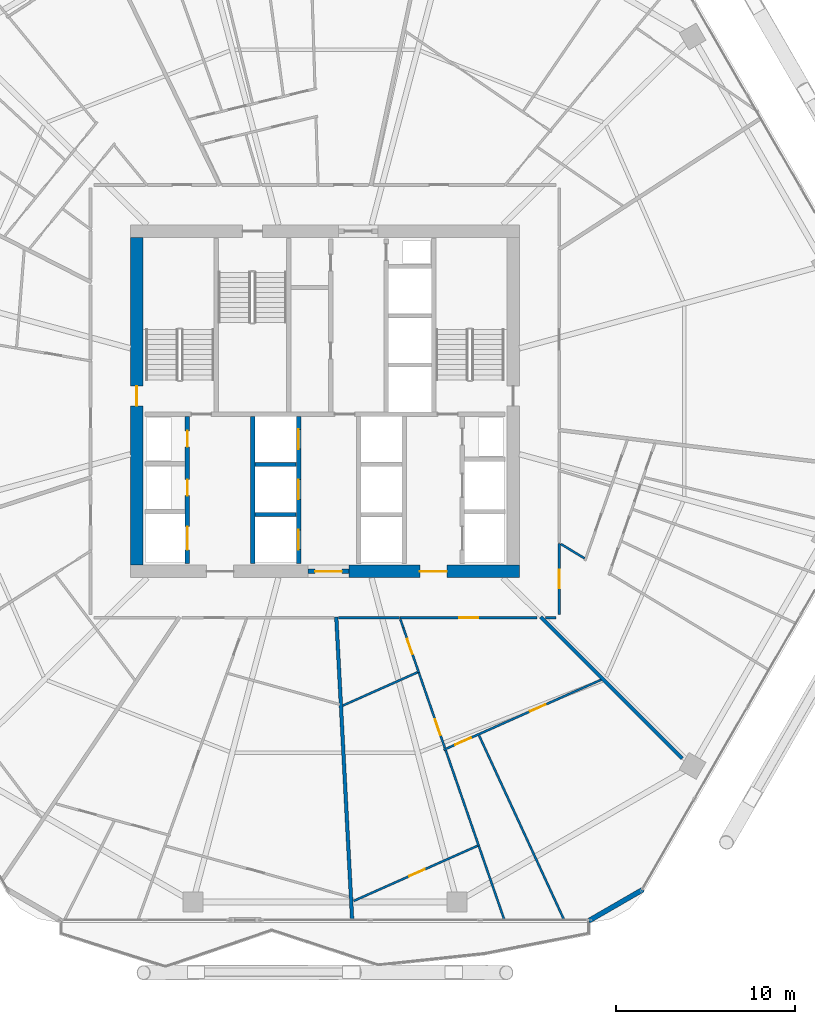
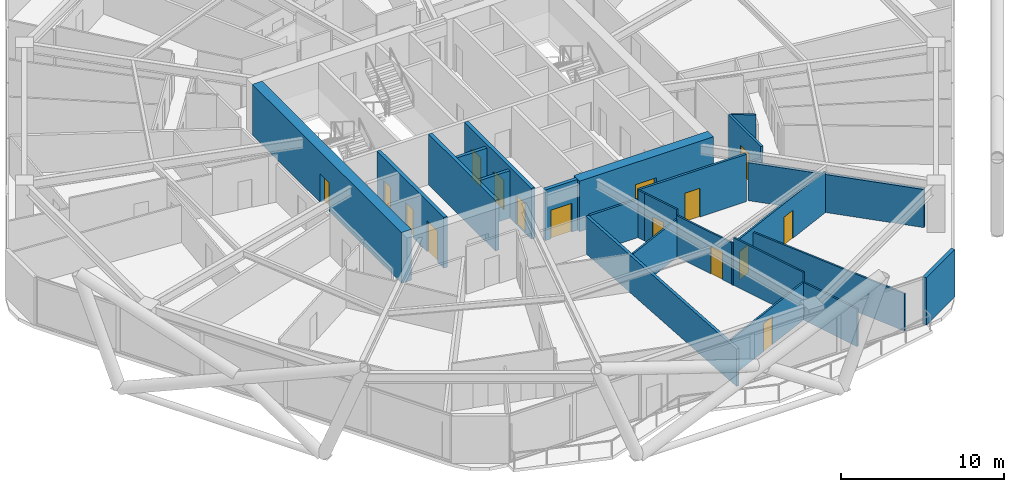
# One storey, part 28 of 35: 25 walls, 16 doors, 16 openings.
"""IFC4 building model written with IfcOpenShell, lengths in metres."""

from ifc_helpers import new_model, si_unit, direction, frame, frame_2d, origin, place, context, subcontext, project, spatial, rectangle, extrude, material, layer, layer_set, type_object, element, fill, save


model = new_model("IFC4")

# Units and contexts
model_context = context("Model", 3, precision=1e-05, world=origin(), true_north=direction((0.0, 1.0)))
body_context = subcontext(model_context, "Body", "Model", "MODEL_VIEW")
ifc_project = project(units=[si_unit("LENGTHUNIT", "METRE"), si_unit("AREAUNIT", "SQUARE_METRE"), si_unit("VOLUMEUNIT", "CUBIC_METRE"), si_unit("PLANEANGLEUNIT", "RADIAN"), si_unit("MASSUNIT", "GRAM", prefix="KILO")], contexts=[model_context])

# Site, building, storey
site_placement = place(None, origin())
site = spatial("IfcSite", under=ifc_project, at=site_placement, CompositionType="ELEMENT")
building_placement = place(site_placement, origin())
building = spatial("IfcBuilding", under=site, at=building_placement, Name="Zuhravey Tower", CompositionType="ELEMENT")
storey_placement = place(building_placement, frame((0.0, 0.0, 115.199951171875)))
storey = spatial("IfcBuildingStorey", under=building, at=storey_placement, Name="L28", CompositionType="ELEMENT", Elevation=115.199951171875)

# Wall, opening, door
ifc_material_1 = material(Name="Concrete C60/75", Category="concrete")
ifc_layer_1 = layer(ifc_material_1, 0.699951171875)
ifc_layer_set_1 = layer_set([ifc_layer_1], Name="Concrete C60/75")
wall_type_1 = type_object("IfcWallType", Name="Core Shear Wall 700", PredefinedType="SHEAR", material=ifc_layer_set_1)
wall_1_placement = place(storey_placement, frame((37.35009765625, 22.5, 0.0), z_axis=(0.0, 0.0, 1.0), x_axis=(1.0, 0.0, 0.0)))
wall_1 = element("IfcWall", 1, at=wall_1_placement, inside=storey, type_object=wall_type_1, Name="L28 South-East Core Shear Wall CW70", PredefinedType="SHEAR", context=body_context, shape_type="SweptSolid", body=[
    extrude(rectangle(XDim=9.5, YDim=0.699951171875, at=frame_2d((4.75, 0.0))), origin(), (0.0, 0.0, 1.0), 3.800048828125),
])
opening_1_placement = place(wall_1_placement, frame((3.949951171875, 0.0, 0.0)))
opening_1 = element("IfcOpeningElement", 2, at=opening_1_placement, cuts=wall_1, Name="Opening FFD1", PredefinedType="OPENING", context=body_context, shape_type="SweptSolid", body=[
    extrude(rectangle(XDim=1.5, YDim=2.14990234375, at=frame_2d((0.75, 1.074951171875))), frame((0.0, 0.362060546875, 0.0), z_axis=(0.0, -1.0, 0.0), x_axis=(1.0, 0.0, 0.0)), (0.0, 0.0, 1.0), 0.723876953125),
])
ifc_material_2 = material(Name="Galvanised fire-rated steel leaf", Category="steel")
door_type_1 = type_object("IfcDoorType", Name="Firefighting Lobby Double Door 1500x2150", OperationType="DOUBLE_DOOR_SINGLE_SWING", PredefinedType="DOOR", material=ifc_material_2)
door_1_placement = place(opening_1_placement, origin())
door_1 = element("IfcDoor", 3, at=door_1_placement, inside=storey, type_object=door_type_1, Name="L28 Firefighting Lobby East Door", OperationType="DOUBLE_DOOR_SINGLE_SWING", OverallHeight=2.14990234375, OverallWidth=1.5, PredefinedType="DOOR", context=body_context, shape_type="SweptSolid", body=[
    extrude(rectangle(XDim=1.5, YDim=2.14990234375, at=frame_2d((0.75, 1.074951171875))), frame((0.0, 0.02490234375, 0.0), z_axis=(0.0, -1.0, 0.0), x_axis=(1.0, 0.0, 0.0)), (0.0, 0.0, 1.0), 0.050048828125),
])
fill(opening_1, door_1)

wall_2_placement = place(storey_placement, frame((25.5, 22.85009765625, 0.0), z_axis=(0.0, 0.0, 1.0), x_axis=(0.0, 1.0, 0.0)))
wall_2 = element("IfcWall", 4, at=wall_2_placement, inside=storey, type_object=wall_type_1, Name="L28 West Core Shear Wall CW70", PredefinedType="SHEAR", context=body_context, shape_type="SweptSolid", body=[
    extrude(rectangle(XDim=18.2998046875, YDim=0.699951171875, at=frame_2d((9.14990234375, 0.0))), origin(), (0.0, 0.0, 1.0), 3.800048828125),
])
opening_2_placement = place(wall_2_placement, frame((8.89990234375, 0.0, 0.0)))
opening_2 = element("IfcOpeningElement", 5, at=opening_2_placement, cuts=wall_2, Name="Opening STD1", PredefinedType="OPENING", context=body_context, shape_type="SweptSolid", body=[
    extrude(rectangle(XDim=1.10009765625, YDim=2.14990234375, at=frame_2d((0.550048828125, 1.074951171875))), frame((0.0, 0.362060546875, 0.0), z_axis=(0.0, -1.0, 0.0), x_axis=(1.0, 0.0, 0.0)), (0.0, 0.0, 1.0), 0.723876953125),
])
door_type_2 = type_object("IfcDoorType", Name="Protected Stair Fire Door 1100x2150", OperationType="NOTDEFINED", PredefinedType="USERDEFINED", material=ifc_material_2)
door_2_placement = place(opening_2_placement, frame((1.10009765625, 0.0, 0.0), z_axis=(0.0, 0.0, 1.0), x_axis=(-1.0, 0.0, 0.0)))
door_2 = element("IfcDoor", 6, at=door_2_placement, inside=storey, type_object=door_type_2, Name="L28 Stair ST1 Door", ObjectType="EXITDOOR", OperationType="SINGLE_SWING_RIGHT", OverallHeight=2.14990234375, OverallWidth=1.10009765625, PredefinedType="USERDEFINED", context=body_context, shape_type="SweptSolid", body=[
    extrude(rectangle(XDim=1.10009765625, YDim=2.14990234375, at=frame_2d((0.550048828125, 1.074951171875))), frame((0.0, 0.02490234375, 0.0), z_axis=(0.0, -1.0, 0.0), x_axis=(1.0, 0.0, 0.0)), (0.0, 0.0, 1.0), 0.050048828125),
])
fill(opening_2, door_2)

ifc_material_3 = material(Name="Gypsum fire-rated stud partition")
ifc_layer_2 = layer(ifc_material_3, 0.159912109375)
ifc_layer_set_2 = layer_set([ifc_layer_2], Name="Gypsum fire-rated stud partition")
wall_type_2 = type_object("IfcWallType", Name="Corridor Fire Partition 160", PredefinedType="PARTITIONING", material=ifc_layer_set_2)
wall_3_placement = place(storey_placement, frame((40.199462890625, 19.919921875, 0.0), z_axis=(0.0, 0.0, 1.0), x_axis=(1.0, 0.0, 0.0)))
wall_3 = element("IfcWall", 7, at=wall_3_placement, inside=storey, type_object=wall_type_2, Name="L28 IW16 Partition 054", PredefinedType="PARTITIONING", context=body_context, shape_type="SweptSolid", body=[
    extrude(rectangle(XDim=7.6435546875, YDim=0.159912109375, at=frame_2d((3.82177734375, 0.0))), origin(), (0.0, 0.0, 1.0), 3.550048828125),
])
opening_3_placement = place(wall_3_placement, frame((3.296630859375, 0.0, 0.0)))
opening_3 = element("IfcOpeningElement", 8, at=opening_3_placement, cuts=wall_3, Name="Opening APD1", PredefinedType="OPENING", context=body_context, shape_type="SweptSolid", body=[
    extrude(rectangle(XDim=1.050048828125, YDim=2.14990234375, at=frame_2d((0.52490234375, 1.074951171875))), frame((0.0, 0.092041015625, 0.0), z_axis=(0.0, -1.0, 0.0), x_axis=(1.0, 0.0, 0.0)), (0.0, 0.0, 1.0), 0.183837890625),
])
ifc_material_4 = material(Name="Solid-core oak fire-rated leaf")
door_type_3 = type_object("IfcDoorType", Name="Apartment Entrance Fire Door 1050x2150", OperationType="NOTDEFINED", PredefinedType="DOOR", material=ifc_material_4)
door_3_placement = place(opening_3_placement, frame((1.050048828125, 0.0, 0.0), z_axis=(0.0, 0.0, 1.0), x_axis=(-1.0, 0.0, 0.0)))
door_3 = element("IfcDoor", 9, at=door_3_placement, inside=storey, type_object=door_type_3, Name="L28 Door 054.1", OperationType="SINGLE_SWING_RIGHT", OverallHeight=2.14990234375, OverallWidth=1.050048828125, PredefinedType="DOOR", context=body_context, shape_type="SweptSolid", body=[
    extrude(rectangle(XDim=1.050048828125, YDim=2.14990234375, at=frame_2d((0.52490234375, 1.074951171875))), frame((0.0, 0.02490234375, 0.0), z_axis=(0.0, -1.0, 0.0), x_axis=(1.0, 0.0, 0.0)), (0.0, 0.0, 1.0), 0.050048828125),
])
fill(opening_3, door_3)

wall_4_placement = place(storey_placement, frame((49.080078125, 20.1005859375, 0.0), z_axis=(0.0, 0.0, 1.0), x_axis=(0.0, 1.0, 0.0)))
wall_4 = element("IfcWall", 10, at=wall_4_placement, inside=storey, type_object=wall_type_2, Name="L28 IW16 Partition 057", PredefinedType="PARTITIONING", context=body_context, shape_type="SweptSolid", body=[
    extrude(rectangle(XDim=3.960693359375, YDim=0.159912109375, at=frame_2d((1.98046875, 0.0))), origin(), (0.0, 0.0, 1.0), 3.550048828125),
])
opening_4_placement = place(wall_4_placement, frame((1.455322265625, 0.0, 0.0)))
opening_4 = element("IfcOpeningElement", 11, at=opening_4_placement, cuts=wall_4, Name="Opening APD1", PredefinedType="OPENING", context=body_context, shape_type="SweptSolid", body=[
    extrude(rectangle(XDim=1.050048828125, YDim=2.14990234375, at=frame_2d((0.52490234375, 1.074951171875))), frame((0.0, 0.092041015625, 0.0), z_axis=(0.0, -1.0, 0.0), x_axis=(1.0, 0.0, 0.0)), (0.0, 0.0, 1.0), 0.183837890625),
])
door_4_placement = place(opening_4_placement, frame((1.050048828125, 0.0, 0.0), z_axis=(0.0, 0.0, 1.0), x_axis=(-1.0, 0.0, 0.0)))
door_4 = element("IfcDoor", 12, at=door_4_placement, inside=storey, type_object=door_type_3, Name="L28 Door 057.1", OperationType="SINGLE_SWING_LEFT", OverallHeight=2.14990234375, OverallWidth=1.050048828125, PredefinedType="DOOR", context=body_context, shape_type="SweptSolid", body=[
    extrude(rectangle(XDim=1.050048828125, YDim=2.14990234375, at=frame_2d((0.52490234375, 1.074951171875))), frame((0.0, 0.02490234375, 0.0), z_axis=(0.0, -1.0, 0.0), x_axis=(1.0, 0.0, 0.0)), (0.0, 0.0, 1.0), 0.050048828125),
])
fill(opening_4, door_4)

# Walls
wall_5_placement = place(storey_placement, frame((36.7587890625, 19.919921875, 0.0), z_axis=(0.0, 0.0, 1.0), x_axis=(1.0, 0.0, 0.0)))
element("IfcWall", 13, at=wall_5_placement, inside=storey, type_object=wall_type_2, Name="L28 IW16 Partition 125", PredefinedType="PARTITIONING", context=body_context, shape_type="SweptSolid", body=[
    extrude(rectangle(XDim=3.3984375, YDim=0.159912109375, at=frame_2d((1.69921875, 0.0))), origin(), (0.0, 0.0, 1.0), 2.85009765625),
])
wall_6_placement = place(storey_placement, frame((48.3212890625, 19.919921875, 0.0), z_axis=(0.0, 0.0, 1.0), x_axis=(1.0, 0.0, 0.0)))
element("IfcWall", 14, at=wall_6_placement, inside=storey, type_object=wall_type_2, Name="L28 IW16 Partition 126", PredefinedType="PARTITIONING", context=body_context, shape_type="SweptSolid", body=[
    extrude(rectangle(XDim=0.578125, YDim=0.159912109375, at=frame_2d((0.2890625, 0.0))), origin(), (0.0, 0.0, 1.0), 2.85009765625),
])
ifc_material_5 = material(Name="Precast concrete C40/50", Category="concrete")
ifc_layer_3 = layer(ifc_material_5, 0.280029296875)
ifc_layer_set_3 = layer_set([ifc_layer_3], Name="Precast concrete C40/50")
wall_type_3 = type_object("IfcWallType", Name="Crown Architectural Wall 280", PredefinedType="SOLIDWALL", material=ifc_layer_set_3)
wall_7_placement = place(storey_placement, frame((53.76123046875, 4.75146484375, 0.0), z_axis=(0.0, 0.0, 1.0), x_axis=(-0.866007452331, -0.500031091541, 0.0)))
element("IfcWall", 15, at=wall_7_placement, inside=storey, type_object=wall_type_3, Name="L28 Rounded Corner Closure Wall EW28-02", PredefinedType="SOLIDWALL", context=body_context, shape_type="SweptSolid", body=[
    extrude(rectangle(XDim=3.514892578125, YDim=0.280029296875, at=frame_2d((1.75732421875, 0.0))), origin(), (0.0, 0.0, 1.0), 3.550048828125),
])

# Wall, opening, door
ifc_material_6 = material(Name="Concrete C50/60", Category="concrete")
ifc_layer_4 = layer(ifc_material_6, 0.25)
ifc_layer_set_4 = layer_set([ifc_layer_4], Name="Concrete C50/60")
wall_type_4 = type_object("IfcWallType", Name="Firefighting Shaft & Stair Wall 250", PredefinedType="SOLIDWALL", material=ifc_layer_set_4)
wall_8_placement = place(storey_placement, frame((35.06005859375, 22.5, 0.0), z_axis=(0.0, 0.0, 1.0), x_axis=(1.0, 0.0, 0.0)))
wall_8 = element("IfcWall", 16, at=wall_8_placement, inside=storey, type_object=wall_type_4, Name="L28 FW25 Shaft Wall 001", PredefinedType="SOLIDWALL", context=body_context, shape_type="SweptSolid", body=[
    extrude(rectangle(XDim=2.280029296875, YDim=0.25, at=frame_2d((1.14013671875, 0.0))), origin(), (0.0, 0.0, 1.0), 3.800048828125),
])
opening_5_placement = place(wall_8_placement, frame((0.389892578125, 0.0, 0.0)))
opening_5 = element("IfcOpeningElement", 17, at=opening_5_placement, cuts=wall_8, Name="Opening FFD1", PredefinedType="OPENING", context=body_context, shape_type="SweptSolid", body=[
    extrude(rectangle(XDim=1.5, YDim=2.14990234375, at=frame_2d((0.75, 1.074951171875))), frame((0.0, 0.136962890625, 0.0), z_axis=(0.0, -1.0, 0.0), x_axis=(1.0, 0.0, 0.0)), (0.0, 0.0, 1.0), 0.27392578125),
])
door_5_placement = place(opening_5_placement, frame((1.5, 0.0, 0.0), z_axis=(0.0, 0.0, 1.0), x_axis=(-1.0, 0.0, 0.0)))
door_5 = element("IfcDoor", 18, at=door_5_placement, inside=storey, type_object=door_type_1, Name="L28 South Lift Lobby Exit Door", OperationType="DOUBLE_DOOR_SINGLE_SWING", OverallHeight=2.14990234375, OverallWidth=1.5, PredefinedType="DOOR", context=body_context, shape_type="SweptSolid", body=[
    extrude(rectangle(XDim=1.5, YDim=2.14990234375, at=frame_2d((0.75, 1.074951171875))), frame((0.0, 0.02490234375, 0.0), z_axis=(0.0, -1.0, 0.0), x_axis=(1.0, 0.0, 0.0)), (0.0, 0.0, 1.0), 0.050048828125),
])
fill(opening_5, door_5)

# Wall, openings, doors
wall_9_placement = place(storey_placement, frame((28.324951171875, 22.949951171875, 0.0), z_axis=(0.0, 0.0, 1.0), x_axis=(0.0, 1.0, 0.0)))
wall_9 = element("IfcWall", 19, at=wall_9_placement, inside=storey, type_object=wall_type_4, Name="L28 FW25 Shaft Wall 011", PredefinedType="SOLIDWALL", context=body_context, shape_type="SweptSolid", body=[
    extrude(rectangle(XDim=8.199951171875, YDim=0.25, at=frame_2d((4.10009765625, 0.0))), origin(), (0.0, 0.0, 1.0), 3.800048828125),
])
opening_6_placement = place(wall_9_placement, frame((0.75, 0.0, 0.0)))
opening_6 = element("IfcOpeningElement", 20, at=opening_6_placement, cuts=wall_9, Name="Opening LD2", PredefinedType="OPENING", context=body_context, shape_type="SweptSolid", body=[
    extrude(rectangle(XDim=1.300048828125, YDim=2.300048828125, at=frame_2d((0.64990234375, 1.14990234375))), frame((0.0, 0.136962890625, 0.0), z_axis=(0.0, -1.0, 0.0), x_axis=(1.0, 0.0, 0.0)), (0.0, 0.0, 1.0), 0.27392578125),
])
opening_7_placement = place(wall_9_placement, frame((3.780029296875, 0.0, 0.0)))
opening_7 = element("IfcOpeningElement", 21, at=opening_7_placement, cuts=wall_9, Name="Opening RSD1", PredefinedType="OPENING", context=body_context, shape_type="SweptSolid", body=[
    extrude(rectangle(XDim=0.89990234375, YDim=2.10009765625, at=frame_2d((0.449951171875, 1.050048828125))), frame((0.0, 0.136962890625, 0.0), z_axis=(0.0, -1.0, 0.0), x_axis=(1.0, 0.0, 0.0)), (0.0, 0.0, 1.0), 0.27392578125),
])
opening_8_placement = place(wall_9_placement, frame((6.5, 0.0, 0.0)))
opening_8 = element("IfcOpeningElement", 22, at=opening_8_placement, cuts=wall_9, Name="Opening RSD1", PredefinedType="OPENING", context=body_context, shape_type="SweptSolid", body=[
    extrude(rectangle(XDim=0.89990234375, YDim=2.10009765625, at=frame_2d((0.449951171875, 1.050048828125))), frame((0.0, 0.136962890625, 0.0), z_axis=(0.0, -1.0, 0.0), x_axis=(1.0, 0.0, 0.0)), (0.0, 0.0, 1.0), 0.27392578125),
])
ifc_material_7 = material(Name="Brushed stainless steel", Category="steel")
door_type_4 = type_object("IfcDoorType", Name="Freight & Stretcher Lift Sliding Door 1300x2300", OperationType="DOUBLE_DOOR_SLIDING", PredefinedType="DOOR", material=ifc_material_7)
door_6_placement = place(opening_6_placement, frame((1.300048828125, 0.0, 0.0), z_axis=(0.0, 0.0, 1.0), x_axis=(-1.0, 0.0, 0.0)))
door_6 = element("IfcDoor", 23, at=door_6_placement, inside=storey, type_object=door_type_4, Name="L28 Lift FF1 Landing Door", OperationType="DOUBLE_DOOR_SLIDING", OverallHeight=2.300048828125, OverallWidth=1.300048828125, PredefinedType="DOOR", context=body_context, shape_type="SweptSolid", body=[
    extrude(rectangle(XDim=1.300048828125, YDim=2.300048828125, at=frame_2d((0.64990234375, 1.14990234375))), frame((0.0, 0.02490234375, 0.0), z_axis=(0.0, -1.0, 0.0), x_axis=(1.0, 0.0, 0.0)), (0.0, 0.0, 1.0), 0.050048828125),
])
fill(opening_6, door_6)
ifc_material_8 = material(Name="Galvanised fire-rated steel access leaf", Category="steel")
door_type_5 = type_object("IfcDoorType", Name="Riser & Shaft Access Fire Door 900x2100", OperationType="NOTDEFINED", PredefinedType="DOOR", material=ifc_material_8)
door_7_placement = place(opening_7_placement, frame((0.89990234375, 0.0, 0.0), z_axis=(0.0, 0.0, 1.0), x_axis=(-1.0, 0.0, 0.0)))
door_7 = element("IfcDoor", 24, at=door_7_placement, inside=storey, type_object=door_type_5, Name="L28 Electrical Riser Door", OperationType="SINGLE_SWING_LEFT", OverallHeight=2.10009765625, OverallWidth=0.89990234375, PredefinedType="DOOR", context=body_context, shape_type="SweptSolid", body=[
    extrude(rectangle(XDim=0.89990234375, YDim=2.10009765625, at=frame_2d((0.449951171875, 1.050048828125))), frame((0.0, 0.02490234375, 0.0), z_axis=(0.0, -1.0, 0.0), x_axis=(1.0, 0.0, 0.0)), (0.0, 0.0, 1.0), 0.050048828125),
])
fill(opening_7, door_7)
door_8_placement = place(opening_8_placement, frame((0.89990234375, 0.0, 0.0), z_axis=(0.0, 0.0, 1.0), x_axis=(-1.0, 0.0, 0.0)))
door_8 = element("IfcDoor", 25, at=door_8_placement, inside=storey, type_object=door_type_5, Name="L28 Smoke Shaft Access Door", OperationType="SINGLE_SWING_RIGHT", OverallHeight=2.10009765625, OverallWidth=0.89990234375, PredefinedType="DOOR", context=body_context, shape_type="SweptSolid", body=[
    extrude(rectangle(XDim=0.89990234375, YDim=2.10009765625, at=frame_2d((0.449951171875, 1.050048828125))), frame((0.0, 0.02490234375, 0.0), z_axis=(0.0, -1.0, 0.0), x_axis=(1.0, 0.0, 0.0)), (0.0, 0.0, 1.0), 0.050048828125),
])
fill(opening_8, door_8)

# Wall
wall_10_placement = place(storey_placement, frame((31.97509765625, 22.949951171875, 0.0), z_axis=(0.0, 0.0, 1.0), x_axis=(0.0, 1.0, 0.0)))
element("IfcWall", 26, at=wall_10_placement, inside=storey, type_object=wall_type_4, Name="L28 FW25 Shaft Wall 012", PredefinedType="SOLIDWALL", context=body_context, shape_type="SweptSolid", body=[
    extrude(rectangle(XDim=8.199951171875, YDim=0.25, at=frame_2d((4.10009765625, 0.0))), origin(), (0.0, 0.0, 1.0), 3.800048828125),
])

# Wall, openings, doors
wall_11_placement = place(storey_placement, frame((34.52490234375, 22.949951171875, 0.0), z_axis=(0.0, 0.0, 1.0), x_axis=(0.0, 1.0, 0.0)))
wall_11 = element("IfcWall", 27, at=wall_11_placement, inside=storey, type_object=wall_type_4, Name="L28 FW25 Shaft Wall 013", PredefinedType="SOLIDWALL", context=body_context, shape_type="SweptSolid", body=[
    extrude(rectangle(XDim=8.199951171875, YDim=0.25, at=frame_2d((4.10009765625, 0.0))), origin(), (0.0, 0.0, 1.0), 3.800048828125),
])
opening_9_placement = place(wall_11_placement, frame((0.77490234375, 0.0, 0.0)))
opening_9 = element("IfcOpeningElement", 28, at=opening_9_placement, cuts=wall_11, Name="Opening LD1", PredefinedType="OPENING", context=body_context, shape_type="SweptSolid", body=[
    extrude(rectangle(XDim=1.10009765625, YDim=2.199951171875, at=frame_2d((0.550048828125, 1.10009765625))), frame((0.0, 0.136962890625, 0.0), z_axis=(0.0, -1.0, 0.0), x_axis=(1.0, 0.0, 0.0)), (0.0, 0.0, 1.0), 0.27392578125),
])
opening_10_placement = place(wall_11_placement, frame((3.574951171875, 0.0, 0.0)))
opening_10 = element("IfcOpeningElement", 29, at=opening_10_placement, cuts=wall_11, Name="Opening LD1", PredefinedType="OPENING", context=body_context, shape_type="SweptSolid", body=[
    extrude(rectangle(XDim=1.10009765625, YDim=2.199951171875, at=frame_2d((0.550048828125, 1.10009765625))), frame((0.0, 0.136962890625, 0.0), z_axis=(0.0, -1.0, 0.0), x_axis=(1.0, 0.0, 0.0)), (0.0, 0.0, 1.0), 0.27392578125),
])
opening_11_placement = place(wall_11_placement, frame((6.375, 0.0, 0.0)))
opening_11 = element("IfcOpeningElement", 30, at=opening_11_placement, cuts=wall_11, Name="Opening LD1", PredefinedType="OPENING", context=body_context, shape_type="SweptSolid", body=[
    extrude(rectangle(XDim=1.10009765625, YDim=2.199951171875, at=frame_2d((0.550048828125, 1.10009765625))), frame((0.0, 0.136962890625, 0.0), z_axis=(0.0, -1.0, 0.0), x_axis=(1.0, 0.0, 0.0)), (0.0, 0.0, 1.0), 0.27392578125),
])
door_type_6 = type_object("IfcDoorType", Name="Lift Landing Sliding Door 1100x2200", OperationType="DOUBLE_DOOR_SLIDING", PredefinedType="DOOR", material=ifc_material_7)
door_9_placement = place(opening_9_placement, frame((1.10009765625, 0.0, 0.0), z_axis=(0.0, 0.0, 1.0), x_axis=(-1.0, 0.0, 0.0)))
door_9 = element("IfcDoor", 31, at=door_9_placement, inside=storey, type_object=door_type_6, Name="L28 Lift PL1 Landing Door", OperationType="DOUBLE_DOOR_SLIDING", OverallHeight=2.199951171875, OverallWidth=1.10009765625, PredefinedType="DOOR", context=body_context, shape_type="SweptSolid", body=[
    extrude(rectangle(XDim=1.10009765625, YDim=2.199951171875, at=frame_2d((0.550048828125, 1.10009765625))), frame((0.0, 0.02490234375, 0.0), z_axis=(0.0, -1.0, 0.0), x_axis=(1.0, 0.0, 0.0)), (0.0, 0.0, 1.0), 0.050048828125),
])
fill(opening_9, door_9)
door_10_placement = place(opening_10_placement, frame((1.10009765625, 0.0, 0.0), z_axis=(0.0, 0.0, 1.0), x_axis=(-1.0, 0.0, 0.0)))
door_10 = element("IfcDoor", 32, at=door_10_placement, inside=storey, type_object=door_type_6, Name="L28 Lift PL2 Landing Door", OperationType="DOUBLE_DOOR_SLIDING", OverallHeight=2.199951171875, OverallWidth=1.10009765625, PredefinedType="DOOR", context=body_context, shape_type="SweptSolid", body=[
    extrude(rectangle(XDim=1.10009765625, YDim=2.199951171875, at=frame_2d((0.550048828125, 1.10009765625))), frame((0.0, 0.02490234375, 0.0), z_axis=(0.0, -1.0, 0.0), x_axis=(1.0, 0.0, 0.0)), (0.0, 0.0, 1.0), 0.050048828125),
])
fill(opening_10, door_10)
door_11_placement = place(opening_11_placement, frame((1.10009765625, 0.0, 0.0), z_axis=(0.0, 0.0, 1.0), x_axis=(-1.0, 0.0, 0.0)))
door_11 = element("IfcDoor", 33, at=door_11_placement, inside=storey, type_object=door_type_6, Name="L28 Lift PL3 Landing Door", OperationType="DOUBLE_DOOR_SLIDING", OverallHeight=2.199951171875, OverallWidth=1.10009765625, PredefinedType="DOOR", context=body_context, shape_type="SweptSolid", body=[
    extrude(rectangle(XDim=1.10009765625, YDim=2.199951171875, at=frame_2d((0.550048828125, 1.10009765625))), frame((0.0, 0.02490234375, 0.0), z_axis=(0.0, -1.0, 0.0), x_axis=(1.0, 0.0, 0.0)), (0.0, 0.0, 1.0), 0.050048828125),
])
fill(opening_11, door_11)

# Walls
ifc_material_9 = material(Name="Gypsum double-stud party assembly")
ifc_layer_5 = layer(ifc_material_9, 0.199951171875)
ifc_layer_set_5 = layer_set([ifc_layer_5], Name="Gypsum double-stud party assembly")
wall_type_5 = type_object("IfcWallType", Name="Inter-Tenancy Party Wall 200", PredefinedType="PARTITIONING", material=ifc_layer_set_5)
wall_12_placement = place(storey_placement, frame((36.631103515625, 19.9599609375, 0.0), z_axis=(0.0, 0.0, 1.0), x_axis=(0.052325116212, -0.998630102798, 0.0)))
element("IfcWall", 34, at=wall_12_placement, inside=storey, type_object=wall_type_5, Name="L28 IW20 Partition 101", PredefinedType="PARTITIONING", context=body_context, shape_type="SweptSolid", body=[
    extrude(rectangle(XDim=16.941650390625, YDim=0.199951171875, at=frame_2d((8.470703125, 0.0))), origin(), (0.0, 0.0, 1.0), 2.800048828125),
])
wall_13_placement = place(storey_placement, frame((48.0400390625, 19.9599609375, 0.0), z_axis=(0.0, 0.0, 1.0), x_axis=(0.707106781187, -0.707106781187, 0.0)))
element("IfcWall", 35, at=wall_13_placement, inside=storey, type_object=wall_type_5, Name="L28 IW20 Partition 106", PredefinedType="PARTITIONING", context=body_context, shape_type="SweptSolid", body=[
    extrude(rectangle(XDim=11.184814453125, YDim=0.199951171875, at=frame_2d((5.59228515625, 0.0))), origin(), (0.0, 0.0, 1.0), 2.85009765625),
])
ifc_material_10 = material(Name="Gypsum acoustic stud assembly")
ifc_layer_6 = layer(ifc_material_10, 0.219970703125)
ifc_layer_set_6 = layer_set([ifc_layer_6], Name="Gypsum acoustic stud assembly")
wall_type_6 = type_object("IfcWallType", Name="School Acoustic Compartment Wall 220", PredefinedType="PARTITIONING", material=ifc_layer_set_6)
for number, where, z_axis, x_axis, name in (
    (36, (32.10791015625, 25.675048828125, 0.0), (0.0, 0.0, 1.0), (1.0, 0.0, 0.0), "L28 IW22 Partition 063"),
    (37, (32.10791015625, 28.47509765625, 0.0), (0.0, 0.0, 1.0), (1.0, 0.0, 0.0), "L28 IW22 Partition 064"),
):
    element("IfcWall", number, at=place(storey_placement, frame(where, z_axis=z_axis, x_axis=x_axis)), inside=storey, type_object=wall_type_6, Name=name, PredefinedType="PARTITIONING", context=body_context, shape_type="SweptSolid", body=[
        extrude(rectangle(XDim=2.2841796875, YDim=0.219970703125, at=frame_2d((1.14208984375, 0.0))), origin(), (0.0, 0.0, 1.0), 3.550048828125),
    ])

# Wall, openings, doors
ifc_material_11 = material(Name="Gypsum metal-stud partition")
ifc_layer_7 = layer(ifc_material_11, 0.1201171875)
ifc_layer_set_7 = layer_set([ifc_layer_7], Name="Gypsum metal-stud partition")
wall_type_7 = type_object("IfcWallType", Name="Unit Internal Partition 120", PredefinedType="PARTITIONING", material=ifc_layer_set_7)
wall_14_placement = place(storey_placement, frame((42.625, 12.54052734375, 0.0), z_axis=(0.0, 0.0, 1.0), x_axis=(0.913542487884, 0.406743313198, 0.0)))
wall_14 = element("IfcWall", 38, at=wall_14_placement, inside=storey, type_object=wall_type_7, Name="L28 IW12 Partition 049", PredefinedType="PARTITIONING", context=body_context, shape_type="SweptSolid", body=[
    extrude(rectangle(XDim=9.62353515625, YDim=0.1201171875, at=frame_2d((4.811767578125, 0.0))), origin(), (0.0, 0.0, 1.0), 3.10009765625),
])
opening_12_placement = place(wall_14_placement, frame((0.710693359375, 0.0, 0.0)))
opening_12 = element("IfcOpeningElement", 39, at=opening_12_placement, cuts=wall_14, Name="Opening IND1", PredefinedType="OPENING", context=body_context, shape_type="SweptSolid", body=[
    extrude(rectangle(XDim=0.949951171875, YDim=2.10009765625, at=frame_2d((0.47509765625, 1.050048828125))), frame((0.0, 0.072021484375, 0.0), z_axis=(0.0, -1.0, 0.0), x_axis=(1.0, 0.0, 0.0)), (0.0, 0.0, 1.0), 0.14404296875),
])
opening_13_placement = place(wall_14_placement, frame((5.282470703125, 0.0, 0.0)))
opening_13 = element("IfcOpeningElement", 40, at=opening_13_placement, cuts=wall_14, Name="Opening IND1", PredefinedType="OPENING", context=body_context, shape_type="SweptSolid", body=[
    extrude(rectangle(XDim=0.949951171875, YDim=2.10009765625, at=frame_2d((0.47509765625, 1.050048828125))), frame((0.0, 0.072021484375, 0.0), z_axis=(0.0, -1.0, 0.0), x_axis=(1.0, 0.0, 0.0)), (0.0, 0.0, 1.0), 0.14404296875),
])
ifc_material_12 = material(Name="Painted engineered timber leaf", Category="wood")
door_type_7 = type_object("IfcDoorType", Name="Internal Room & Bedroom Door 950x2100", OperationType="NOTDEFINED", PredefinedType="DOOR", material=ifc_material_12)
door_12_placement = place(opening_12_placement, frame((0.949951171875, 0.0, 0.0), z_axis=(0.0, 0.0, 1.0), x_axis=(-1.0, 0.0, 0.0)))
door_12 = element("IfcDoor", 41, at=door_12_placement, inside=storey, type_object=door_type_7, Name="Apartment L28-07 Family Study Door", OperationType="SINGLE_SWING_LEFT", OverallHeight=2.10009765625, OverallWidth=0.949951171875, PredefinedType="DOOR", context=body_context, shape_type="SweptSolid", body=[
    extrude(rectangle(XDim=0.949951171875, YDim=2.10009765625, at=frame_2d((0.47509765625, 1.050048828125))), frame((0.0, 0.02490234375, 0.0), z_axis=(0.0, -1.0, 0.0), x_axis=(1.0, 0.0, 0.0)), (0.0, 0.0, 1.0), 0.050048828125),
])
fill(opening_12, door_12)
door_13_placement = place(opening_13_placement, frame((0.949951171875, 0.0, 0.0), z_axis=(0.0, 0.0, 1.0), x_axis=(-1.0, 0.0, 0.0)))
door_13 = element("IfcDoor", 42, at=door_13_placement, inside=storey, type_object=door_type_7, Name="Apartment L28-07 Dining Room Door", OperationType="SINGLE_SWING_RIGHT", OverallHeight=2.10009765625, OverallWidth=0.949951171875, PredefinedType="DOOR", context=body_context, shape_type="SweptSolid", body=[
    extrude(rectangle(XDim=0.949951171875, YDim=2.10009765625, at=frame_2d((0.47509765625, 1.050048828125))), frame((0.0, 0.02490234375, 0.0), z_axis=(0.0, -1.0, 0.0), x_axis=(1.0, 0.0, 0.0)), (0.0, 0.0, 1.0), 0.050048828125),
])
fill(opening_13, door_13)

# Wall, opening, door
wall_15_placement = place(storey_placement, frame((40.37548828125, 19.35009765625, 0.0), z_axis=(0.0, 0.0, 1.0), x_axis=(0.326851488324, -0.945075713676, 0.0)))
wall_15 = element("IfcWall", 43, at=wall_15_placement, inside=storey, type_object=wall_type_7, Name="L28 IW12 Partition 050", PredefinedType="PARTITIONING", context=body_context, shape_type="SweptSolid", body=[
    extrude(rectangle(XDim=2.621826171875, YDim=0.1201171875, at=frame_2d((1.31103515625, 0.0))), origin(), (0.0, 0.0, 1.0), 3.550048828125),
])
opening_14_placement = place(wall_15_placement, frame((0.651123046875, 0.0, 0.0)))
opening_14 = element("IfcOpeningElement", 44, at=opening_14_placement, cuts=wall_15, Name="Opening WCD1", PredefinedType="OPENING", context=body_context, shape_type="SweptSolid", body=[
    extrude(rectangle(XDim=0.89990234375, YDim=2.10009765625, at=frame_2d((0.449951171875, 1.050048828125))), frame((0.0, 0.072021484375, 0.0), z_axis=(0.0, -1.0, 0.0), x_axis=(1.0, 0.0, 0.0)), (0.0, 0.0, 1.0), 0.14404296875),
])
ifc_material_13 = material(Name="Moisture-resistant timber leaf", Category="wood")
door_type_8 = type_object("IfcDoorType", Name="Bathroom & WC Internal Door 900x2100", OperationType="NOTDEFINED", PredefinedType="DOOR", material=ifc_material_13)
door_14_placement = place(opening_14_placement, frame((0.89990234375, 0.0, 0.0), z_axis=(0.0, 0.0, 1.0), x_axis=(-1.0, 0.0, 0.0)))
door_14 = element("IfcDoor", 45, at=door_14_placement, inside=storey, type_object=door_type_8, Name="Apartment L28-07 Bathroom Door", OperationType="SINGLE_SWING_LEFT", OverallHeight=2.10009765625, OverallWidth=0.89990234375, PredefinedType="DOOR", context=body_context, shape_type="SweptSolid", body=[
    extrude(rectangle(XDim=0.89990234375, YDim=2.10009765625, at=frame_2d((0.449951171875, 1.050048828125))), frame((0.0, 0.02490234375, 0.0), z_axis=(0.0, -1.0, 0.0), x_axis=(1.0, 0.0, 0.0)), (0.0, 0.0, 1.0), 0.050048828125),
])
fill(opening_14, door_14)

wall_16_placement = place(storey_placement, frame((41.232666015625, 16.872314453125, 0.0), z_axis=(0.0, 0.0, 1.0), x_axis=(0.326853664791, -0.945074960949, 0.0)))
wall_16 = element("IfcWall", 46, at=wall_16_placement, inside=storey, type_object=wall_type_7, Name="L28 IW12 Partition 051", PredefinedType="PARTITIONING", context=body_context, shape_type="SweptSolid", body=[
    extrude(rectangle(XDim=4.471923828125, YDim=0.1201171875, at=frame_2d((2.23583984375, 0.0))), origin(), (0.0, 0.0, 1.0), 3.10009765625),
])
opening_15_placement = place(wall_16_placement, frame((2.77001953125, 0.0, 0.0)))
opening_15 = element("IfcOpeningElement", 47, at=opening_15_placement, cuts=wall_16, Name="Opening IND1", PredefinedType="OPENING", context=body_context, shape_type="SweptSolid", body=[
    extrude(rectangle(XDim=0.949951171875, YDim=2.10009765625, at=frame_2d((0.47509765625, 1.050048828125))), frame((0.0, 0.072021484375, 0.0), z_axis=(0.0, -1.0, 0.0), x_axis=(1.0, 0.0, 0.0)), (0.0, 0.0, 1.0), 0.14404296875),
])
door_15_placement = place(opening_15_placement, frame((0.949951171875, 0.0, 0.0), z_axis=(0.0, 0.0, 1.0), x_axis=(-1.0, 0.0, 0.0)))
door_15 = element("IfcDoor", 48, at=door_15_placement, inside=storey, type_object=door_type_7, Name="Apartment L28-07 Home Office Door", OperationType="SINGLE_SWING_RIGHT", OverallHeight=2.10009765625, OverallWidth=0.949951171875, PredefinedType="DOOR", context=body_context, shape_type="SweptSolid", body=[
    extrude(rectangle(XDim=0.949951171875, YDim=2.10009765625, at=frame_2d((0.47509765625, 1.050048828125))), frame((0.0, 0.02490234375, 0.0), z_axis=(0.0, -1.0, 0.0), x_axis=(1.0, 0.0, 0.0)), (0.0, 0.0, 1.0), 0.050048828125),
])
fill(opening_15, door_15)

# Wall
wall_17_placement = place(storey_placement, frame((42.739013671875, 12.516845703125, 0.0), z_axis=(0.0, 0.0, 1.0), x_axis=(0.32689789909, -0.945059661382, 0.0)))
element("IfcWall", 49, at=wall_17_placement, inside=storey, type_object=wall_type_7, Name="L28 IW12 Partition 052", PredefinedType="PARTITIONING", context=body_context, shape_type="SweptSolid", body=[
    extrude(rectangle(XDim=5.638671875, YDim=0.1201171875, at=frame_2d((2.8193359375, 0.0))), origin(), (0.0, 0.0, 1.0), 3.550048828125),
])

# Wall, opening, door
wall_18_placement = place(storey_placement, frame((37.605712890625, 4.109375, 0.0), z_axis=(0.0, 0.0, 1.0), x_axis=(0.913547663518, 0.406731688562, 0.0)))
wall_18 = element("IfcWall", 50, at=wall_18_placement, inside=storey, type_object=wall_type_7, Name="L28 IW12 Partition 053", PredefinedType="PARTITIONING", context=body_context, shape_type="SweptSolid", body=[
    extrude(rectangle(XDim=7.5595703125, YDim=0.1201171875, at=frame_2d((3.77978515625, 0.0))), origin(), (0.0, 0.0, 1.0), 2.800048828125),
])
opening_16_placement = place(wall_18_placement, frame((3.38916015625, 0.0, 0.0)))
opening_16 = element("IfcOpeningElement", 51, at=opening_16_placement, cuts=wall_18, Name="Opening IND1", PredefinedType="OPENING", context=body_context, shape_type="SweptSolid", body=[
    extrude(rectangle(XDim=0.949951171875, YDim=2.10009765625, at=frame_2d((0.47509765625, 1.050048828125))), frame((0.0, 0.072021484375, 0.0), z_axis=(0.0, -1.0, 0.0), x_axis=(1.0, 0.0, 0.0)), (0.0, 0.0, 1.0), 0.14404296875),
])
door_16_placement = place(opening_16_placement, frame((0.949951171875, 0.0, 0.0), z_axis=(0.0, 0.0, 1.0), x_axis=(-1.0, 0.0, 0.0)))
door_16 = element("IfcDoor", 52, at=door_16_placement, inside=storey, type_object=door_type_7, Name="Apartment L28-07 Bedroom 1 Door", OperationType="SINGLE_SWING_LEFT", OverallHeight=2.10009765625, OverallWidth=0.949951171875, PredefinedType="DOOR", context=body_context, shape_type="SweptSolid", body=[
    extrude(rectangle(XDim=0.949951171875, YDim=2.10009765625, at=frame_2d((0.47509765625, 1.050048828125))), frame((0.0, 0.02490234375, 0.0), z_axis=(0.0, -1.0, 0.0), x_axis=(1.0, 0.0, 0.0)), (0.0, 0.0, 1.0), 0.050048828125),
])
fill(opening_16, door_16)

# Walls
wall_19_placement = place(storey_placement, frame((44.6005859375, 13.345703125, 0.0), z_axis=(0.0, 0.0, 1.0), x_axis=(0.418713944569, -0.90811818208, 0.0)))
element("IfcWall", 53, at=wall_19_placement, inside=storey, type_object=wall_type_7, Name="L28 IW12 Partition 102", PredefinedType="PARTITIONING", context=body_context, shape_type="SweptSolid", body=[
    extrude(rectangle(XDim=11.3798828125, YDim=0.1201171875, at=frame_2d((5.68994140625, 0.0))), origin(), (0.0, 0.0, 1.0), 2.800048828125),
])
wall_20_placement = place(storey_placement, frame((40.208740234375, 19.83203125, 0.0), z_axis=(0.0, 0.0, 1.0), x_axis=(0.326979018049, -0.945031598284, 0.0)))
element("IfcWall", 54, at=wall_20_placement, inside=storey, type_object=wall_type_7, Name="L28 IW12 Partition 103", PredefinedType="PARTITIONING", context=body_context, shape_type="SweptSolid", body=[
    extrude(rectangle(XDim=0.510009765625, YDim=0.1201171875, at=frame_2d((0.2548828125, 0.0))), origin(), (0.0, 0.0, 1.0), 3.550048828125),
])
wall_21_placement = place(storey_placement, frame((44.582275390625, 7.18798828125, 0.0), z_axis=(0.0, 0.0, 1.0), x_axis=(0.326848948983, -0.945076591896, 0.0)))
element("IfcWall", 55, at=wall_21_placement, inside=storey, type_object=wall_type_7, Name="L28 IW12 Partition 104", PredefinedType="PARTITIONING", context=body_context, shape_type="SweptSolid", body=[
    extrude(rectangle(XDim=4.391357421875, YDim=0.1201171875, at=frame_2d((2.19580078125, 0.0))), origin(), (0.0, 0.0, 1.0), 2.800048828125),
])
wall_22_placement = place(storey_placement, frame((36.998291015625, 15.014404296875, 0.0), z_axis=(0.0, 0.0, 1.0), x_axis=(0.913552925769, 0.406719868975, 0.0)))
element("IfcWall", 56, at=wall_22_placement, inside=storey, type_object=wall_type_7, Name="L28 IW12 Partition 105", PredefinedType="PARTITIONING", context=body_context, shape_type="SweptSolid", body=[
    extrude(rectangle(XDim=4.557861328125, YDim=0.1201171875, at=frame_2d((2.27880859375, 0.0))), origin(), (0.0, 0.0, 1.0), 2.85009765625),
])
wall_23_placement = place(storey_placement, frame((49.16796875, 24.031494140625, 0.0), z_axis=(0.0, 0.0, 1.0), x_axis=(0.855518519858, -0.517772210706, 0.0)))
element("IfcWall", 57, at=wall_23_placement, inside=storey, type_object=wall_type_7, Name="L28 IW12 Partition 111", PredefinedType="PARTITIONING", context=body_context, shape_type="SweptSolid", body=[
    extrude(rectangle(XDim=1.543212890625, YDim=0.1201171875, at=frame_2d((0.771484375, 0.0))), origin(), (0.0, 0.0, 1.0), 3.550048828125),
])

save(model, "model.ifc")
